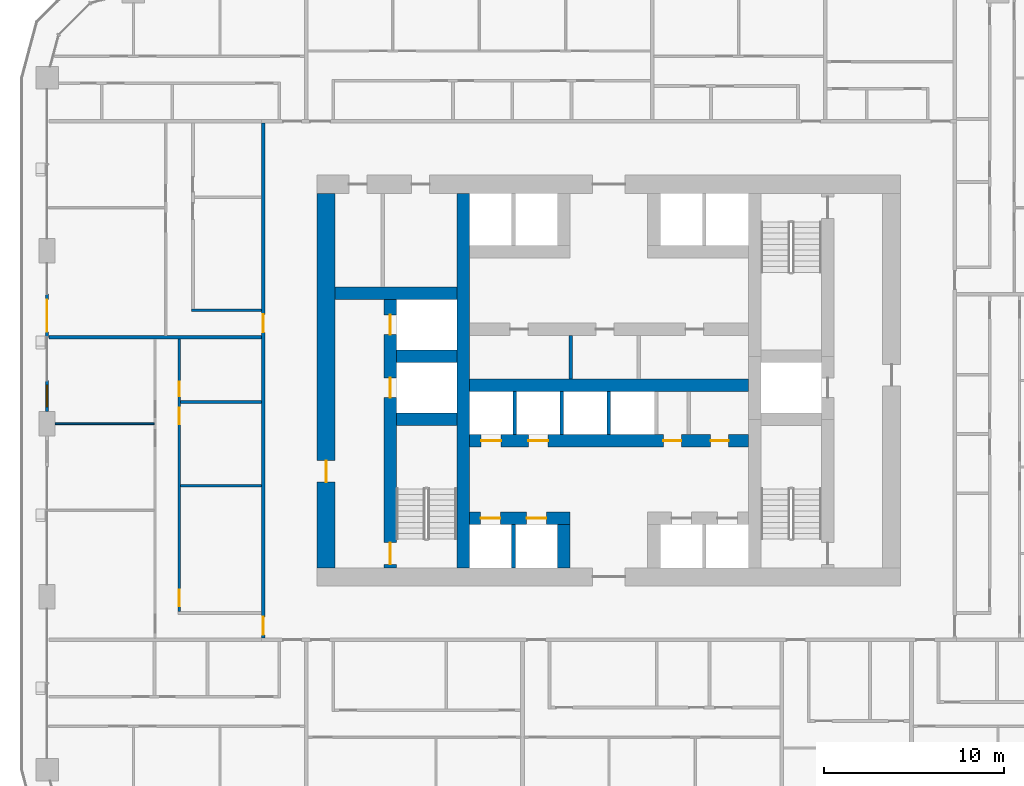
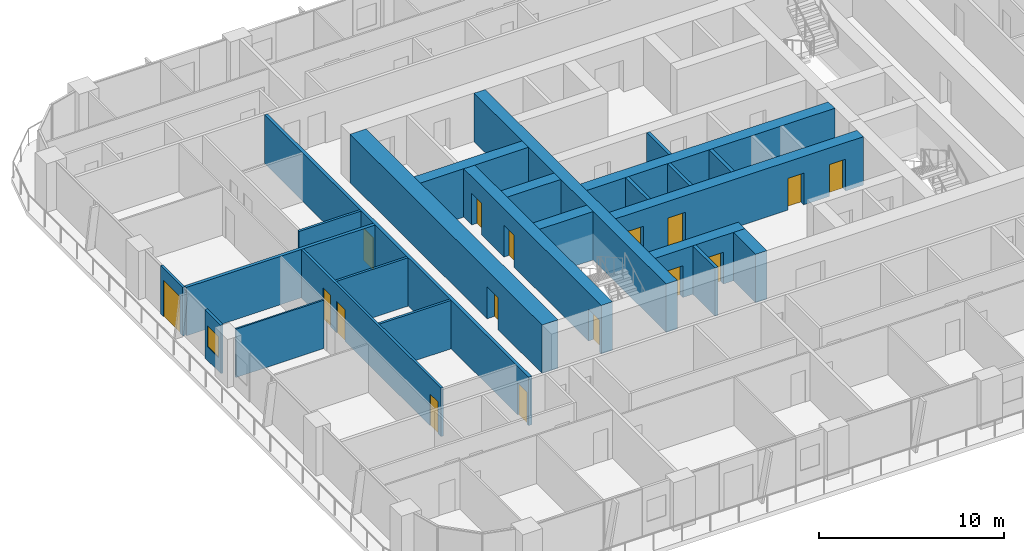
# One storey, part 10 of 21: 24 walls, 16 doors, 1 window, 17 openings.
"""IFC4 building model written with IfcOpenShell, lengths in metres."""

from ifc_helpers import new_model, si_unit, direction, frame, frame_2d, origin, place, context, subcontext, project, spatial, rectangle, extrude, material, layer, layer_set, type_object, element, fill, save


model = new_model("IFC4")

# Units and contexts
model_context = context("Model", 3, precision=1e-05, world=origin(), true_north=direction((0.0, 1.0)))
body_context = subcontext(model_context, "Body", "Model", "MODEL_VIEW")
ifc_project = project(units=[si_unit("LENGTHUNIT", "METRE"), si_unit("AREAUNIT", "SQUARE_METRE"), si_unit("VOLUMEUNIT", "CUBIC_METRE"), si_unit("PLANEANGLEUNIT", "RADIAN"), si_unit("MASSUNIT", "GRAM", prefix="KILO")], contexts=[model_context])

# Site, building, storey
site_placement = place(None, origin())
site = spatial("IfcSite", under=ifc_project, at=site_placement, CompositionType="ELEMENT")
building_placement = place(site_placement, origin())
building = spatial("IfcBuilding", under=site, at=building_placement, Name="Madar Terraces", CompositionType="ELEMENT")
storey_placement = place(building_placement, frame((0.0, 0.0, 32.89990234375)))
storey = spatial("IfcBuildingStorey", under=building, at=storey_placement, Name="L07", CompositionType="ELEMENT", Elevation=32.89990234375)

# Wall, openings, doors
ifc_material_1 = material(Name="Concrete C80/95", Category="concrete")
ifc_layer_1 = layer(ifc_material_1, 0.699951171875)
ifc_layer_set_1 = layer_set([ifc_layer_1], Name="Concrete C80/95 (CIW1 RC wall 700)")
wall_type_1 = type_object("IfcWallType", Name="CIW1 RC wall 700", PredefinedType="SHEAR", material=ifc_layer_set_1)
wall_1_placement = place(storey_placement, frame((19.050048828125, 16.0, 0.0), z_axis=(0.0, 0.0, 1.0), x_axis=(0.0, 1.0, 0.0)))
wall_1 = element("IfcWall", 1, at=wall_1_placement, inside=storey, type_object=wall_type_1, Name="CORE SHAFT WALL", PredefinedType="SHEAR", context=body_context, shape_type="SweptSolid", body=[
    extrude(rectangle(XDim=14.89990234375, YDim=0.699951171875, at=frame_2d((7.449951171875, 0.0))), origin(), (0.0, 0.0, 1.0), 3.2001953125),
])
opening_1_placement = place(wall_1_placement, frame((9.449951171875, 0.0, 0.0)))
opening_1 = element("IfcOpeningElement", 2, at=opening_1_placement, cuts=wall_1, Name="Opening LD", PredefinedType="OPENING", context=body_context, shape_type="SweptSolid", body=[
    extrude(rectangle(XDim=1.10009765625, YDim=2.10009765625, at=frame_2d((0.550048828125, 1.050048828125))), frame((0.0, 0.35986328125, 0.0), z_axis=(0.0, -1.0, 0.0), x_axis=(1.0, 0.0, 0.0)), (0.0, 0.0, 1.0), 0.719970703125),
])
opening_2_placement = place(wall_1_placement, frame((12.949951171875, 0.0, 0.0)))
opening_2 = element("IfcOpeningElement", 3, at=opening_2_placement, cuts=wall_1, Name="Opening LD", PredefinedType="OPENING", context=body_context, shape_type="SweptSolid", body=[
    extrude(rectangle(XDim=1.10009765625, YDim=2.10009765625, at=frame_2d((0.550048828125, 1.050048828125))), frame((0.0, 0.35986328125, 0.0), z_axis=(0.0, -1.0, 0.0), x_axis=(1.0, 0.0, 0.0)), (0.0, 0.0, 1.0), 0.719970703125),
])
opening_3_placement = place(wall_1_placement, frame((0.199951171875, 0.0, 0.0)))
opening_3 = element("IfcOpeningElement", 4, at=opening_3_placement, cuts=wall_1, Name="Opening SD1", PredefinedType="OPENING", context=body_context, shape_type="SweptSolid", body=[
    extrude(rectangle(XDim=1.199951171875, YDim=2.10009765625, at=frame_2d((0.60009765625, 1.050048828125))), frame((0.0, 0.35986328125, 0.0), z_axis=(0.0, -1.0, 0.0), x_axis=(1.0, 0.0, 0.0)), (0.0, 0.0, 1.0), 0.719970703125),
])
ifc_material_2 = material(Name="Stainless steel panel", Category="steel")
door_type_1 = type_object("IfcDoorType", Name="Lift landing door 1100 x 2100", OperationType="DOUBLE_DOOR_SLIDING", PredefinedType="DOOR", material=ifc_material_2)
door_1_placement = place(opening_1_placement, origin())
door_1 = element("IfcDoor", 5, at=door_1_placement, inside=storey, type_object=door_type_1, Name="LIFT LANDING DOOR", OperationType="DOUBLE_DOOR_SLIDING", OverallHeight=2.10009765625, OverallWidth=1.10009765625, PredefinedType="DOOR", context=body_context, shape_type="SweptSolid", body=[
    extrude(rectangle(XDim=1.10009765625, YDim=2.10009765625, at=frame_2d((0.550048828125, 1.050048828125))), frame((0.0, 0.02490234375, 0.0), z_axis=(0.0, -1.0, 0.0), x_axis=(1.0, 0.0, 0.0)), (0.0, 0.0, 1.0), 0.050048828125),
])
fill(opening_1, door_1)
door_2_placement = place(opening_2_placement, origin())
door_2 = element("IfcDoor", 6, at=door_2_placement, inside=storey, type_object=door_type_1, Name="LIFT LANDING DOOR", OperationType="DOUBLE_DOOR_SLIDING", OverallHeight=2.10009765625, OverallWidth=1.10009765625, PredefinedType="DOOR", context=body_context, shape_type="SweptSolid", body=[
    extrude(rectangle(XDim=1.10009765625, YDim=2.10009765625, at=frame_2d((0.550048828125, 1.050048828125))), frame((0.0, 0.02490234375, 0.0), z_axis=(0.0, -1.0, 0.0), x_axis=(1.0, 0.0, 0.0)), (0.0, 0.0, 1.0), 0.050048828125),
])
fill(opening_2, door_2)
ifc_material_3 = material(Name="Steel door leaf", Category="steel")
door_type_2 = type_object("IfcDoorType", Name="Stair door 1200 x 2100", OperationType="NOTDEFINED", PredefinedType="DOOR", material=ifc_material_3)
door_3_placement = place(opening_3_placement, frame((1.199951171875, 0.0, 0.0), z_axis=(0.0, 0.0, 1.0), x_axis=(-1.0, 0.0, 0.0)))
door_3 = element("IfcDoor", 7, at=door_3_placement, inside=storey, type_object=door_type_2, Name="STAIR DOOR", OperationType="SINGLE_SWING_LEFT", OverallHeight=2.10009765625, OverallWidth=1.199951171875, PredefinedType="DOOR", context=body_context, shape_type="SweptSolid", body=[
    extrude(rectangle(XDim=1.199951171875, YDim=2.10009765625, at=frame_2d((0.60009765625, 1.050048828125))), frame((0.0, 0.02490234375, 0.0), z_axis=(0.0, -1.0, 0.0), x_axis=(1.0, 0.0, 0.0)), (0.0, 0.0, 1.0), 0.050048828125),
])
fill(opening_3, door_3)

# Walls
wall_2_placement = place(storey_placement, frame((23.10009765625, 16.0, 0.0), z_axis=(0.0, 0.0, 1.0), x_axis=(0.0, 1.0, 0.0)))
element("IfcWall", 8, at=wall_2_placement, inside=storey, type_object=wall_type_1, Name="CORE SHAFT WALL", PredefinedType="SHEAR", context=body_context, shape_type="SweptSolid", body=[
    extrude(rectangle(XDim=20.800048828125, YDim=0.699951171875, at=frame_2d((10.39990234375, 0.0))), origin(), (0.0, 0.0, 1.0), 3.2001953125),
])
for number, where, z_axis, x_axis, name in (
    (9, (19.39990234375, 24.25, 0.0), (0.0, 0.0, 1.0), (1.0, 0.0, 0.0), "CORE SHAFT WALL"),
    (10, (19.39990234375, 27.75, 0.0), (0.0, 0.0, 1.0), (1.0, 0.0, 0.0), "CORE SHAFT WALL"),
):
    element("IfcWall", number, at=place(storey_placement, frame(where, z_axis=z_axis, x_axis=x_axis)), inside=storey, type_object=wall_type_1, Name=name, PredefinedType="SHEAR", context=body_context, shape_type="SweptSolid", body=[
        extrude(rectangle(XDim=3.35009765625, YDim=0.699951171875, at=frame_2d((1.675048828125, 0.0))), origin(), (0.0, 0.0, 1.0), 3.2001953125),
    ])
wall_3_placement = place(storey_placement, frame((16.0, 31.25, 0.0), z_axis=(0.0, 0.0, 1.0), x_axis=(1.0, 0.0, 0.0)))
element("IfcWall", 11, at=wall_3_placement, inside=storey, type_object=wall_type_1, Name="CORE SHAFT WALL", PredefinedType="SHEAR", context=body_context, shape_type="SweptSolid", body=[
    extrude(rectangle(XDim=6.75, YDim=0.699951171875, at=frame_2d((3.375, 0.0))), origin(), (0.0, 0.0, 1.0), 3.2001953125),
])

# Wall, openings, doors
wall_4_placement = place(storey_placement, frame((23.449951171875, 18.75, 0.0), z_axis=(0.0, 0.0, 1.0), x_axis=(1.0, 0.0, 0.0)))
wall_4 = element("IfcWall", 12, at=wall_4_placement, inside=storey, type_object=wall_type_1, Name="CORE SHAFT WALL", PredefinedType="SHEAR", context=body_context, shape_type="SweptSolid", body=[
    extrude(rectangle(XDim=5.60009765625, YDim=0.699951171875, at=frame_2d((2.800048828125, 0.0))), origin(), (0.0, 0.0, 1.0), 3.2001953125),
])
opening_4_placement = place(wall_4_placement, frame((0.625, 0.0, 0.0)))
opening_4 = element("IfcOpeningElement", 13, at=opening_4_placement, cuts=wall_4, Name="Opening LD", PredefinedType="OPENING", context=body_context, shape_type="SweptSolid", body=[
    extrude(rectangle(XDim=1.10009765625, YDim=2.10009765625, at=frame_2d((0.550048828125, 1.050048828125))), frame((0.0, 0.35986328125, 0.0), z_axis=(0.0, -1.0, 0.0), x_axis=(1.0, 0.0, 0.0)), (0.0, 0.0, 1.0), 0.719970703125),
])
opening_5_placement = place(wall_4_placement, frame((3.175048828125, 0.0, 0.0)))
opening_5 = element("IfcOpeningElement", 14, at=opening_5_placement, cuts=wall_4, Name="Opening LD", PredefinedType="OPENING", context=body_context, shape_type="SweptSolid", body=[
    extrude(rectangle(XDim=1.10009765625, YDim=2.10009765625, at=frame_2d((0.550048828125, 1.050048828125))), frame((0.0, 0.35986328125, 0.0), z_axis=(0.0, -1.0, 0.0), x_axis=(1.0, 0.0, 0.0)), (0.0, 0.0, 1.0), 0.719970703125),
])
door_4_placement = place(opening_4_placement, origin())
door_4 = element("IfcDoor", 15, at=door_4_placement, inside=storey, type_object=door_type_1, Name="LIFT LANDING DOOR", OperationType="DOUBLE_DOOR_SLIDING", OverallHeight=2.10009765625, OverallWidth=1.10009765625, PredefinedType="DOOR", context=body_context, shape_type="SweptSolid", body=[
    extrude(rectangle(XDim=1.10009765625, YDim=2.10009765625, at=frame_2d((0.550048828125, 1.050048828125))), frame((0.0, 0.02490234375, 0.0), z_axis=(0.0, -1.0, 0.0), x_axis=(1.0, 0.0, 0.0)), (0.0, 0.0, 1.0), 0.050048828125),
])
fill(opening_4, door_4)
door_5_placement = place(opening_5_placement, origin())
door_5 = element("IfcDoor", 16, at=door_5_placement, inside=storey, type_object=door_type_1, Name="LIFT LANDING DOOR", OperationType="DOUBLE_DOOR_SLIDING", OverallHeight=2.10009765625, OverallWidth=1.10009765625, PredefinedType="DOOR", context=body_context, shape_type="SweptSolid", body=[
    extrude(rectangle(XDim=1.10009765625, YDim=2.10009765625, at=frame_2d((0.550048828125, 1.050048828125))), frame((0.0, 0.02490234375, 0.0), z_axis=(0.0, -1.0, 0.0), x_axis=(1.0, 0.0, 0.0)), (0.0, 0.0, 1.0), 0.050048828125),
])
fill(opening_5, door_5)

wall_5_placement = place(storey_placement, frame((23.449951171875, 23.050048828125, 0.0), z_axis=(0.0, 0.0, 1.0), x_axis=(1.0, 0.0, 0.0)))
wall_5 = element("IfcWall", 17, at=wall_5_placement, inside=storey, type_object=wall_type_1, Name="CORE SHAFT WALL", PredefinedType="SHEAR", context=body_context, shape_type="SweptSolid", body=[
    extrude(rectangle(XDim=15.5, YDim=0.699951171875, at=frame_2d((7.75, 0.0))), origin(), (0.0, 0.0, 1.0), 3.2001953125),
])
opening_6_placement = place(wall_5_placement, frame((0.658447265625, 0.0, 0.0)))
opening_6 = element("IfcOpeningElement", 18, at=opening_6_placement, cuts=wall_5, Name="Opening LD", PredefinedType="OPENING", context=body_context, shape_type="SweptSolid", body=[
    extrude(rectangle(XDim=1.10009765625, YDim=2.10009765625, at=frame_2d((0.550048828125, 1.050048828125))), frame((0.0, 0.35986328125, 0.0), z_axis=(0.0, -1.0, 0.0), x_axis=(1.0, 0.0, 0.0)), (0.0, 0.0, 1.0), 0.719970703125),
])
opening_7_placement = place(wall_5_placement, frame((3.27490234375, 0.0, 0.0)))
opening_7 = element("IfcOpeningElement", 19, at=opening_7_placement, cuts=wall_5, Name="Opening LD", PredefinedType="OPENING", context=body_context, shape_type="SweptSolid", body=[
    extrude(rectangle(XDim=1.10009765625, YDim=2.10009765625, at=frame_2d((0.550048828125, 1.050048828125))), frame((0.0, 0.35986328125, 0.0), z_axis=(0.0, -1.0, 0.0), x_axis=(1.0, 0.0, 0.0)), (0.0, 0.0, 1.0), 0.719970703125),
])
opening_8_placement = place(wall_5_placement, frame((10.772216796875, 0.0, 0.0)))
opening_8 = element("IfcOpeningElement", 20, at=opening_8_placement, cuts=wall_5, Name="Opening KD2", PredefinedType="OPENING", context=body_context, shape_type="SweptSolid", body=[
    extrude(rectangle(XDim=1.0, YDim=2.10009765625, at=frame_2d((0.5, 1.050048828125))), frame((0.0, 0.35986328125, 0.0), z_axis=(0.0, -1.0, 0.0), x_axis=(1.0, 0.0, 0.0)), (0.0, 0.0, 1.0), 0.719970703125),
])
opening_9_placement = place(wall_5_placement, frame((13.388916015625, 0.0, 0.0)))
opening_9 = element("IfcOpeningElement", 21, at=opening_9_placement, cuts=wall_5, Name="Opening KD2", PredefinedType="OPENING", context=body_context, shape_type="SweptSolid", body=[
    extrude(rectangle(XDim=1.0, YDim=2.10009765625, at=frame_2d((0.5, 1.050048828125))), frame((0.0, 0.35986328125, 0.0), z_axis=(0.0, -1.0, 0.0), x_axis=(1.0, 0.0, 0.0)), (0.0, 0.0, 1.0), 0.719970703125),
])
door_6_placement = place(opening_6_placement, origin())
door_6 = element("IfcDoor", 22, at=door_6_placement, inside=storey, type_object=door_type_1, Name="LIFT LANDING DOOR", OperationType="DOUBLE_DOOR_SLIDING", OverallHeight=2.10009765625, OverallWidth=1.10009765625, PredefinedType="DOOR", context=body_context, shape_type="SweptSolid", body=[
    extrude(rectangle(XDim=1.10009765625, YDim=2.10009765625, at=frame_2d((0.550048828125, 1.050048828125))), frame((0.0, 0.02490234375, 0.0), z_axis=(0.0, -1.0, 0.0), x_axis=(1.0, 0.0, 0.0)), (0.0, 0.0, 1.0), 0.050048828125),
])
fill(opening_6, door_6)
door_7_placement = place(opening_7_placement, origin())
door_7 = element("IfcDoor", 23, at=door_7_placement, inside=storey, type_object=door_type_1, Name="LIFT LANDING DOOR", OperationType="DOUBLE_DOOR_SLIDING", OverallHeight=2.10009765625, OverallWidth=1.10009765625, PredefinedType="DOOR", context=body_context, shape_type="SweptSolid", body=[
    extrude(rectangle(XDim=1.10009765625, YDim=2.10009765625, at=frame_2d((0.550048828125, 1.050048828125))), frame((0.0, 0.02490234375, 0.0), z_axis=(0.0, -1.0, 0.0), x_axis=(1.0, 0.0, 0.0)), (0.0, 0.0, 1.0), 0.050048828125),
])
fill(opening_7, door_7)
ifc_material_4 = material(Name="Steel door leaf", Category="steel")
door_type_3 = type_object("IfcDoorType", Name="Service room door 1000 x 2100", OperationType="NOTDEFINED", PredefinedType="DOOR", material=ifc_material_4)
door_8_placement = place(opening_8_placement, frame((1.0, 0.0, 0.0), z_axis=(0.0, 0.0, 1.0), x_axis=(-1.0, 0.0, 0.0)))
door_8 = element("IfcDoor", 24, at=door_8_placement, inside=storey, type_object=door_type_3, Name="SERVICE ROOM DOOR", OperationType="SINGLE_SWING_RIGHT", OverallHeight=2.10009765625, OverallWidth=1.0, PredefinedType="DOOR", context=body_context, shape_type="SweptSolid", body=[
    extrude(rectangle(XDim=1.0, YDim=2.10009765625, at=frame_2d((0.5, 1.050048828125))), frame((0.0, 0.02490234375, 0.0), z_axis=(0.0, -1.0, 0.0), x_axis=(1.0, 0.0, 0.0)), (0.0, 0.0, 1.0), 0.050048828125),
])
fill(opening_8, door_8)
door_9_placement = place(opening_9_placement, frame((1.0, 0.0, 0.0), z_axis=(0.0, 0.0, 1.0), x_axis=(-1.0, 0.0, 0.0)))
door_9 = element("IfcDoor", 25, at=door_9_placement, inside=storey, type_object=door_type_3, Name="SERVICE ROOM DOOR", OperationType="SINGLE_SWING_LEFT", OverallHeight=2.10009765625, OverallWidth=1.0, PredefinedType="DOOR", context=body_context, shape_type="SweptSolid", body=[
    extrude(rectangle(XDim=1.0, YDim=2.10009765625, at=frame_2d((0.5, 1.050048828125))), frame((0.0, 0.02490234375, 0.0), z_axis=(0.0, -1.0, 0.0), x_axis=(1.0, 0.0, 0.0)), (0.0, 0.0, 1.0), 0.050048828125),
])
fill(opening_9, door_9)

# Walls
wall_6_placement = place(storey_placement, frame((23.449951171875, 26.14990234375, 0.0), z_axis=(0.0, 0.0, 1.0), x_axis=(1.0, 0.0, 0.0)))
element("IfcWall", 26, at=wall_6_placement, inside=storey, type_object=wall_type_1, Name="CORE SHAFT WALL", PredefinedType="SHEAR", context=body_context, shape_type="SweptSolid", body=[
    extrude(rectangle(XDim=15.5, YDim=0.699951171875, at=frame_2d((7.75, 0.0))), origin(), (0.0, 0.0, 1.0), 3.2001953125),
])
wall_7_placement = place(storey_placement, frame((28.699951171875, 16.0, 0.0), z_axis=(0.0, 0.0, 1.0), x_axis=(0.0, 1.0, 0.0)))
element("IfcWall", 27, at=wall_7_placement, inside=storey, type_object=wall_type_1, Name="CORE SHAFT WALL", PredefinedType="SHEAR", context=body_context, shape_type="SweptSolid", body=[
    extrude(rectangle(XDim=2.39990234375, YDim=0.699951171875, at=frame_2d((1.199951171875, 0.0))), origin(), (0.0, 0.0, 1.0), 3.2001953125),
])

# Wall, opening, door
ifc_material_5 = material(Name="Concrete C80/95", Category="concrete")
ifc_layer_2 = layer(ifc_material_5, 1.0)
ifc_layer_set_2 = layer_set([ifc_layer_2], Name="Concrete C80/95 (CRW1 RC wall 1000)")
wall_type_2 = type_object("IfcWallType", Name="CRW1 RC wall 1000", PredefinedType="SHEAR", material=ifc_layer_set_2)
wall_8_placement = place(storey_placement, frame((15.5, 16.0, 0.0), z_axis=(0.0, 0.0, 1.0), x_axis=(0.0, 1.0, 0.0)))
wall_8 = element("IfcWall", 28, at=wall_8_placement, inside=storey, type_object=wall_type_2, Name="CORE OUTER WALL", PredefinedType="SHEAR", context=body_context, shape_type="SweptSolid", body=[
    extrude(rectangle(XDim=20.800048828125, YDim=1.0, at=frame_2d((10.39990234375, 0.0))), origin(), (0.0, 0.0, 1.0), 3.2001953125),
])
opening_10_placement = place(wall_8_placement, frame((4.760009765625, 0.0, 0.0)))
opening_10 = element("IfcOpeningElement", 29, at=opening_10_placement, cuts=wall_8, Name="Opening SD1", PredefinedType="OPENING", context=body_context, shape_type="SweptSolid", body=[
    extrude(rectangle(XDim=1.199951171875, YDim=2.10009765625, at=frame_2d((0.60009765625, 1.050048828125))), frame((0.0, 0.510009765625, 0.0), z_axis=(0.0, -1.0, 0.0), x_axis=(1.0, 0.0, 0.0)), (0.0, 0.0, 1.0), 1.02001953125),
])
door_10_placement = place(opening_10_placement, frame((1.199951171875, 0.0, 0.0), z_axis=(0.0, 0.0, 1.0), x_axis=(-1.0, 0.0, 0.0)))
door_10 = element("IfcDoor", 30, at=door_10_placement, inside=storey, type_object=door_type_2, Name="STAIR DOOR", OperationType="SINGLE_SWING_RIGHT", OverallHeight=2.10009765625, OverallWidth=1.199951171875, PredefinedType="DOOR", context=body_context, shape_type="SweptSolid", body=[
    extrude(rectangle(XDim=1.199951171875, YDim=2.10009765625, at=frame_2d((0.60009765625, 1.050048828125))), frame((0.0, 0.02490234375, 0.0), z_axis=(0.0, -1.0, 0.0), x_axis=(1.0, 0.0, 0.0)), (0.0, 0.0, 1.0), 0.050048828125),
])
fill(opening_10, door_10)

# Walls
ifc_material_6 = material(Name="Masonry blockwork", Category="masonry")
ifc_layer_3 = layer(ifc_material_6, 0.199951171875)
ifc_layer_set_3 = layer_set([ifc_layer_3], Name="Core partition 200 blockwork")
wall_type_3 = type_object("IfcWallType", Name="Core partition 200 blockwork", PredefinedType="PARTITIONING", material=ifc_layer_set_3)
wall_9_placement = place(storey_placement, frame((29.081787109375, 26.5, 0.0), z_axis=(0.0, 0.0, 1.0), x_axis=(0.0, 1.0, 0.0)))
element("IfcWall", 31, at=wall_9_placement, inside=storey, type_object=wall_type_3, Name="SERVICE ROOM PARTITION", PredefinedType="PARTITIONING", context=body_context, shape_type="SweptSolid", body=[
    extrude(rectangle(XDim=2.39990234375, YDim=0.199951171875, at=frame_2d((1.199951171875, 0.0))), origin(), (0.0, 0.0, 1.0), 3.2001953125),
])
ifc_material_7 = material(Name="Concrete C40/50", Category="concrete")
ifc_layer_4 = layer(ifc_material_7, 0.199951171875)
ifc_layer_set_4 = layer_set([ifc_layer_4], Name="Core shaft dividing wall 200 C40/50")
wall_type_4 = type_object("IfcWallType", Name="Core shaft dividing wall 200 C40/50", PredefinedType="SOLIDWALL", material=ifc_layer_set_4)
for number, where, z_axis, x_axis, name in (
    (32, (25.966552734375, 23.39990234375, 0.0), (0.0, 0.0, 1.0), (0.0, 1.0, 0.0), "SHAFT DIVIDING WALL"),
    (33, (28.583251953125, 23.39990234375, 0.0), (0.0, 0.0, 1.0), (0.0, 1.0, 0.0), "SHAFT DIVIDING WALL"),
    (34, (31.199951171875, 23.39990234375, 0.0), (0.0, 0.0, 1.0), (0.0, 1.0, 0.0), "SHAFT DIVIDING WALL"),
):
    element("IfcWall", number, at=place(storey_placement, frame(where, z_axis=z_axis, x_axis=x_axis)), inside=storey, type_object=wall_type_4, Name=name, PredefinedType="SOLIDWALL", context=body_context, shape_type="SweptSolid", body=[
        extrude(rectangle(XDim=2.400146484375, YDim=0.199951171875, at=frame_2d((1.2001953125, 0.0))), origin(), (0.0, 0.0, 1.0), 3.2001953125),
    ])
wall_10_placement = place(storey_placement, frame((25.89990234375, 16.0, 0.0), z_axis=(0.0, 0.0, 1.0), x_axis=(0.0, 1.0, 0.0)))
element("IfcWall", 35, at=wall_10_placement, inside=storey, type_object=wall_type_4, Name="SHAFT DIVIDING WALL", PredefinedType="SOLIDWALL", context=body_context, shape_type="SweptSolid", body=[
    extrude(rectangle(XDim=2.39990234375, YDim=0.199951171875, at=frame_2d((1.199951171875, 0.0))), origin(), (0.0, 0.0, 1.0), 3.2001953125),
])

# Wall, opening, door
ifc_material_8 = material(Name="Aluminium composite panel, black, over insulated backing", Category="aluminium")
ifc_layer_5 = layer(ifc_material_8, 0.14990234375)
ifc_layer_set_5 = layer_set([ifc_layer_5], Name="Facade bay panel 150")
wall_type_5 = type_object("IfcWallType", Name="Facade bay panel 150", PredefinedType="SOLIDWALL", material=ifc_layer_set_5)
wall_11_placement = place(storey_placement, frame((0.0, 31.199951171875, 0.0), z_axis=(0.0, 0.0, 1.0), x_axis=(0.0, -1.0, 0.0)))
wall_11 = element("IfcWall", 36, at=wall_11_placement, inside=storey, type_object=wall_type_5, Name="Facade bay panel", PredefinedType="SOLIDWALL", context=body_context, shape_type="SweptSolid", body=[
    extrude(rectangle(XDim=2.39990234375, YDim=0.14990234375, at=frame_2d((1.199951171875, 0.0))), origin(), (0.0, 0.0, 1.0), 3.2001953125),
])
opening_11_placement = place(wall_11_placement, frame((0.300048828125, 0.0, 0.0)))
opening_11 = element("IfcOpeningElement", 37, at=opening_11_placement, cuts=wall_11, Name="Opening ED1", PredefinedType="OPENING", context=body_context, shape_type="SweptSolid", body=[
    extrude(rectangle(XDim=1.800048828125, YDim=2.39990234375, at=frame_2d((0.89990234375, 1.199951171875))), frame((0.0, 0.0849609375, 0.0), z_axis=(0.0, -1.0, 0.0), x_axis=(1.0, 0.0, 0.0)), (0.0, 0.0, 1.0), 0.169921875),
])
ifc_material_9 = material(Name="Glass, clear, with black aluminium frame", Category="aluminium")
door_type_4 = type_object("IfcDoorType", Name="Balcony and terrace sliding door 1800 x 2400", OperationType="SLIDING_TO_LEFT", PredefinedType="DOOR", material=ifc_material_9)
door_11_placement = place(opening_11_placement, origin())
door_11 = element("IfcDoor", 38, at=door_11_placement, inside=storey, type_object=door_type_4, Name="Balcony door", OperationType="SLIDING_TO_RIGHT", OverallHeight=2.39990234375, OverallWidth=1.800048828125, PredefinedType="DOOR", context=body_context, shape_type="SweptSolid", body=[
    extrude(rectangle(XDim=1.800048828125, YDim=2.39990234375, at=frame_2d((0.89990234375, 1.199951171875))), frame((0.0, 0.02490234375, 0.0), z_axis=(0.0, -1.0, 0.0), x_axis=(1.0, 0.0, 0.0)), (0.0, 0.0, 1.0), 0.050048828125),
])
fill(opening_11, door_11)

# Wall, opening, window
wall_12_placement = place(storey_placement, frame((0.0, 26.39990234375, 0.0), z_axis=(0.0, 0.0, 1.0), x_axis=(0.0, -1.0, 0.0)))
wall_12 = element("IfcWall", 39, at=wall_12_placement, inside=storey, type_object=wall_type_5, Name="Facade bay panel", PredefinedType="SOLIDWALL", context=body_context, shape_type="SweptSolid", body=[
    extrude(rectangle(XDim=1.724853515625, YDim=0.14990234375, at=frame_2d((0.8623046875, 0.0))), origin(), (0.0, 0.0, 1.0), 3.2001953125),
])
opening_12_placement = place(wall_12_placement, frame((0.262451171875, 0.0, 0.89990234375)))
opening_12 = element("IfcOpeningElement", 40, at=opening_12_placement, cuts=wall_12, Name="Opening W1", PredefinedType="OPENING", context=body_context, shape_type="SweptSolid", body=[
    extrude(rectangle(XDim=1.199951171875, YDim=1.39990234375, at=frame_2d((0.60009765625, 0.699951171875))), frame((0.0, 0.0849609375, 0.0), z_axis=(0.0, -1.0, 0.0), x_axis=(1.0, 0.0, 0.0)), (0.0, 0.0, 1.0), 0.169921875),
])
ifc_material_10 = material(Name="Glass, clear, with black aluminium frame", Category="aluminium")
window_type = type_object("IfcWindowType", Name="Vent window 1200 x 1400", PartitioningType="SINGLE_PANEL", PredefinedType="WINDOW", material=ifc_material_10)
window_placement = place(opening_12_placement, origin())
window = element("IfcWindow", 41, at=window_placement, inside=storey, type_object=window_type, Name="Operable vent window", OverallHeight=1.39990234375, OverallWidth=1.199951171875, PartitioningType="SINGLE_PANEL", PredefinedType="WINDOW", context=body_context, shape_type="SweptSolid", body=[
    extrude(rectangle(XDim=1.199951171875, YDim=1.39990234375, at=frame_2d((0.60009765625, 0.699951171875))), frame((0.0, 0.030029296875, 0.0), z_axis=(0.0, -1.0, 0.0), x_axis=(1.0, 0.0, 0.0)), (0.0, 0.0, 1.0), 0.06005859375),
])
fill(opening_12, window)

# Wall
ifc_material_11 = material(Name="Gypsum board on steel studs", Category="steel")
ifc_layer_6 = layer(ifc_material_11, 0.10009765625)
ifc_layer_set_6 = layer_set([ifc_layer_6], Name="Flat partition 100")
wall_type_6 = type_object("IfcWallType", Name="Flat partition 100", PredefinedType="PARTITIONING", material=ifc_layer_set_6)
wall_13_placement = place(storey_placement, frame((5.949951171875, 24.0, 0.0), z_axis=(0.0, 0.0, 1.0), x_axis=(-1.0, 0.0, 0.0)))
element("IfcWall", 42, at=wall_13_placement, inside=storey, type_object=wall_type_6, Name="Flat partition 100", PredefinedType="PARTITIONING", context=body_context, shape_type="SweptSolid", body=[
    extrude(rectangle(XDim=5.5, YDim=0.10009765625, at=frame_2d((2.75, 0.0))), origin(), (0.0, 0.0, 1.0), 3.2001953125),
])

# Wall, openings, doors
ifc_material_12 = material(Name="Lightweight blockwork", Category="masonry")
ifc_layer_7 = layer(ifc_material_12, 0.199951171875)
ifc_layer_set_7 = layer_set([ifc_layer_7], Name="Flat party and entrance wall 200")
wall_type_7 = type_object("IfcWallType", Name="Flat party and entrance wall 200", PredefinedType="PARTITIONING", material=ifc_layer_set_7)
wall_14_placement = place(storey_placement, frame((12.0, 12.10009765625, 0.0), z_axis=(0.0, 0.0, 1.0), x_axis=(0.0, 1.0, 0.0)))
wall_14 = element("IfcWall", 43, at=wall_14_placement, inside=storey, type_object=wall_type_7, Name="Flat party and entrance wall 200", PredefinedType="PARTITIONING", context=body_context, shape_type="SweptSolid", body=[
    extrude(rectangle(XDim=28.599853515625, YDim=0.199951171875, at=frame_2d((14.2998046875, 0.0))), origin(), (0.0, 0.0, 1.0), 3.2001953125),
])
opening_13_placement = place(wall_14_placement, frame((16.97509765625, 0.0, 0.0)))
opening_13 = element("IfcOpeningElement", 44, at=opening_13_placement, cuts=wall_14, Name="Opening D1", PredefinedType="OPENING", context=body_context, shape_type="SweptSolid", body=[
    extrude(rectangle(XDim=1.0, YDim=2.10009765625, at=frame_2d((0.5, 1.050048828125))), frame((0.0, 0.10986328125, 0.0), z_axis=(0.0, -1.0, 0.0), x_axis=(1.0, 0.0, 0.0)), (0.0, 0.0, 1.0), 0.219970703125),
])
opening_14_placement = place(wall_14_placement, frame((0.175048828125, 0.0, 0.0)))
opening_14 = element("IfcOpeningElement", 45, at=opening_14_placement, cuts=wall_14, Name="Opening D1", PredefinedType="OPENING", context=body_context, shape_type="SweptSolid", body=[
    extrude(rectangle(XDim=1.0, YDim=2.10009765625, at=frame_2d((0.5, 1.050048828125))), frame((0.0, 0.10986328125, 0.0), z_axis=(0.0, -1.0, 0.0), x_axis=(1.0, 0.0, 0.0)), (0.0, 0.0, 1.0), 0.219970703125),
])
ifc_material_13 = material(Name="Timber fire door leaf", Category="wood")
door_type_5 = type_object("IfcDoorType", Name="Flat entrance door 1000 FD30S", OperationType="NOTDEFINED", PredefinedType="DOOR", material=ifc_material_13)
door_12_placement = place(opening_13_placement, origin())
door_12 = element("IfcDoor", 46, at=door_12_placement, inside=storey, type_object=door_type_5, Name="Flat entrance door 1000 FD30S", OperationType="SINGLE_SWING_LEFT", OverallHeight=2.10009765625, OverallWidth=1.0, PredefinedType="DOOR", context=body_context, shape_type="SweptSolid", body=[
    extrude(rectangle(XDim=1.0, YDim=2.10009765625, at=frame_2d((0.5, 1.050048828125))), frame((0.0, 0.02490234375, 0.0), z_axis=(0.0, -1.0, 0.0), x_axis=(1.0, 0.0, 0.0)), (0.0, 0.0, 1.0), 0.050048828125),
])
fill(opening_13, door_12)
door_13_placement = place(opening_14_placement, origin())
door_13 = element("IfcDoor", 47, at=door_13_placement, inside=storey, type_object=door_type_5, Name="Flat entrance door 1000 FD30S", OperationType="SINGLE_SWING_LEFT", OverallHeight=2.10009765625, OverallWidth=1.0, PredefinedType="DOOR", context=body_context, shape_type="SweptSolid", body=[
    extrude(rectangle(XDim=1.0, YDim=2.10009765625, at=frame_2d((0.5, 1.050048828125))), frame((0.0, 0.02490234375, 0.0), z_axis=(0.0, -1.0, 0.0), x_axis=(1.0, 0.0, 0.0)), (0.0, 0.0, 1.0), 0.050048828125),
])
fill(opening_14, door_13)

# Walls
wall_15_placement = place(storey_placement, frame((0.10009765625, 28.800048828125, 0.0), z_axis=(0.0, 0.0, 1.0), x_axis=(1.0, 0.0, 0.0)))
element("IfcWall", 48, at=wall_15_placement, inside=storey, type_object=wall_type_7, Name="Flat party and entrance wall 200", PredefinedType="PARTITIONING", context=body_context, shape_type="SweptSolid", body=[
    extrude(rectangle(XDim=11.7998046875, YDim=0.199951171875, at=frame_2d((5.89990234375, 0.0))), origin(), (0.0, 0.0, 1.0), 3.2001953125),
])
ifc_material_14 = material(Name="Lightweight blockwork", Category="masonry")
ifc_layer_8 = layer(ifc_material_14, 0.14990234375)
ifc_layer_set_8 = layer_set([ifc_layer_8], Name="Flat wet-room partition 150")
wall_type_8 = type_object("IfcWallType", Name="Flat wet-room partition 150", PredefinedType="PARTITIONING", material=ifc_layer_set_8)
wall_16_placement = place(storey_placement, frame((11.89990234375, 30.300048828125, 0.0), z_axis=(0.0, 0.0, 1.0), x_axis=(-1.0, 0.0, 0.0)))
element("IfcWall", 49, at=wall_16_placement, inside=storey, type_object=wall_type_8, Name="Flat wet-room partition 150", PredefinedType="PARTITIONING", context=body_context, shape_type="SweptSolid", body=[
    extrude(rectangle(XDim=3.875, YDim=0.14990234375, at=frame_2d((1.9375, 0.0))), origin(), (0.0, 0.0, 1.0), 3.2001953125),
])
for number, where, z_axis, x_axis, name in (
    (50, (11.89990234375, 20.555908203125, 0.0), (0.0, 0.0, 1.0), (-1.0, 0.0, 0.0), "Flat wet-room partition 150"),
    (51, (11.89990234375, 25.209716796875, 0.0), (0.0, 0.0, 1.0), (-1.0, 0.0, 0.0), "Flat wet-room partition 150"),
):
    element("IfcWall", number, at=place(storey_placement, frame(where, z_axis=z_axis, x_axis=x_axis)), inside=storey, type_object=wall_type_8, Name=name, PredefinedType="PARTITIONING", context=body_context, shape_type="SweptSolid", body=[
        extrude(rectangle(XDim=4.474853515625, YDim=0.14990234375, at=frame_2d((2.2373046875, 0.0))), origin(), (0.0, 0.0, 1.0), 3.2001953125),
    ])

# Wall, openings, doors
wall_17_placement = place(storey_placement, frame((7.35009765625, 28.699951171875, 0.0), z_axis=(0.0, 0.0, 1.0), x_axis=(0.0, -1.0, 0.0)))
wall_17 = element("IfcWall", 52, at=wall_17_placement, inside=storey, type_object=wall_type_8, Name="Flat wet-room partition 150", PredefinedType="PARTITIONING", context=body_context, shape_type="SweptSolid", body=[
    extrude(rectangle(XDim=15.125, YDim=0.14990234375, at=frame_2d((7.5625, 0.0))), origin(), (0.0, 0.0, 1.0), 3.2001953125),
])
opening_15_placement = place(wall_17_placement, frame((13.925048828125, 0.0, 0.0)))
opening_15 = element("IfcOpeningElement", 53, at=opening_15_placement, cuts=wall_17, Name="Opening D2", PredefinedType="OPENING", context=body_context, shape_type="SweptSolid", body=[
    extrude(rectangle(XDim=0.89990234375, YDim=2.10009765625, at=frame_2d((0.449951171875, 1.050048828125))), frame((0.0, 0.0849609375, 0.0), z_axis=(0.0, -1.0, 0.0), x_axis=(1.0, 0.0, 0.0)), (0.0, 0.0, 1.0), 0.169921875),
])
opening_16_placement = place(wall_17_placement, frame((3.8154296875, 0.0, 0.0)))
opening_16 = element("IfcOpeningElement", 54, at=opening_16_placement, cuts=wall_17, Name="Opening D5", PredefinedType="OPENING", context=body_context, shape_type="SweptSolid", body=[
    extrude(rectangle(XDim=0.89990234375, YDim=2.10009765625, at=frame_2d((0.449951171875, 1.050048828125))), frame((0.0, 0.0849609375, 0.0), z_axis=(0.0, -1.0, 0.0), x_axis=(1.0, 0.0, 0.0)), (0.0, 0.0, 1.0), 0.169921875),
])
opening_17_placement = place(wall_17_placement, frame((2.365478515625, 0.0, 0.0)))
opening_17 = element("IfcOpeningElement", 55, at=opening_17_placement, cuts=wall_17, Name="Opening D4", PredefinedType="OPENING", context=body_context, shape_type="SweptSolid", body=[
    extrude(rectangle(XDim=0.800048828125, YDim=2.10009765625, at=frame_2d((0.39990234375, 1.050048828125))), frame((0.0, 0.0849609375, 0.0), z_axis=(0.0, -1.0, 0.0), x_axis=(1.0, 0.0, 0.0)), (0.0, 0.0, 1.0), 0.169921875),
])
ifc_material_15 = material(Name="Timber door leaf", Category="wood")
door_type_6 = type_object("IfcDoorType", Name="Flat accessible bathroom door 900", OperationType="NOTDEFINED", PredefinedType="DOOR", material=ifc_material_15)
door_14_placement = place(opening_16_placement, origin())
door_14 = element("IfcDoor", 56, at=door_14_placement, inside=storey, type_object=door_type_6, Name="Flat accessible bathroom door 900", OperationType="SINGLE_SWING_LEFT", OverallHeight=2.10009765625, OverallWidth=0.89990234375, PredefinedType="DOOR", context=body_context, shape_type="SweptSolid", body=[
    extrude(rectangle(XDim=0.89990234375, YDim=2.10009765625, at=frame_2d((0.449951171875, 1.050048828125))), frame((0.0, 0.02490234375, 0.0), z_axis=(0.0, -1.0, 0.0), x_axis=(1.0, 0.0, 0.0)), (0.0, 0.0, 1.0), 0.050048828125),
])
fill(opening_16, door_14)
ifc_material_16 = material(Name="Timber door leaf", Category="wood")
door_type_7 = type_object("IfcDoorType", Name="Flat bathroom door 800", OperationType="NOTDEFINED", PredefinedType="DOOR", material=ifc_material_16)
door_15_placement = place(opening_17_placement, origin())
door_15 = element("IfcDoor", 57, at=door_15_placement, inside=storey, type_object=door_type_7, Name="Flat bathroom door 800", OperationType="SINGLE_SWING_RIGHT", OverallHeight=2.10009765625, OverallWidth=0.800048828125, PredefinedType="DOOR", context=body_context, shape_type="SweptSolid", body=[
    extrude(rectangle(XDim=0.800048828125, YDim=2.10009765625, at=frame_2d((0.39990234375, 1.050048828125))), frame((0.0, 0.02490234375, 0.0), z_axis=(0.0, -1.0, 0.0), x_axis=(1.0, 0.0, 0.0)), (0.0, 0.0, 1.0), 0.050048828125),
])
fill(opening_17, door_15)
ifc_material_17 = material(Name="Timber door leaf", Category="wood")
door_type_8 = type_object("IfcDoorType", Name="Flat room door 900", OperationType="NOTDEFINED", PredefinedType="DOOR", material=ifc_material_17)
door_16_placement = place(opening_15_placement, origin())
door_16 = element("IfcDoor", 58, at=door_16_placement, inside=storey, type_object=door_type_8, Name="Flat room door 900", OperationType="SINGLE_SWING_RIGHT", OverallHeight=2.10009765625, OverallWidth=0.89990234375, PredefinedType="DOOR", context=body_context, shape_type="SweptSolid", body=[
    extrude(rectangle(XDim=0.89990234375, YDim=2.10009765625, at=frame_2d((0.449951171875, 1.050048828125))), frame((0.0, 0.02490234375, 0.0), z_axis=(0.0, -1.0, 0.0), x_axis=(1.0, 0.0, 0.0)), (0.0, 0.0, 1.0), 0.050048828125),
])
fill(opening_15, door_16)

save(model, "model.ifc")
